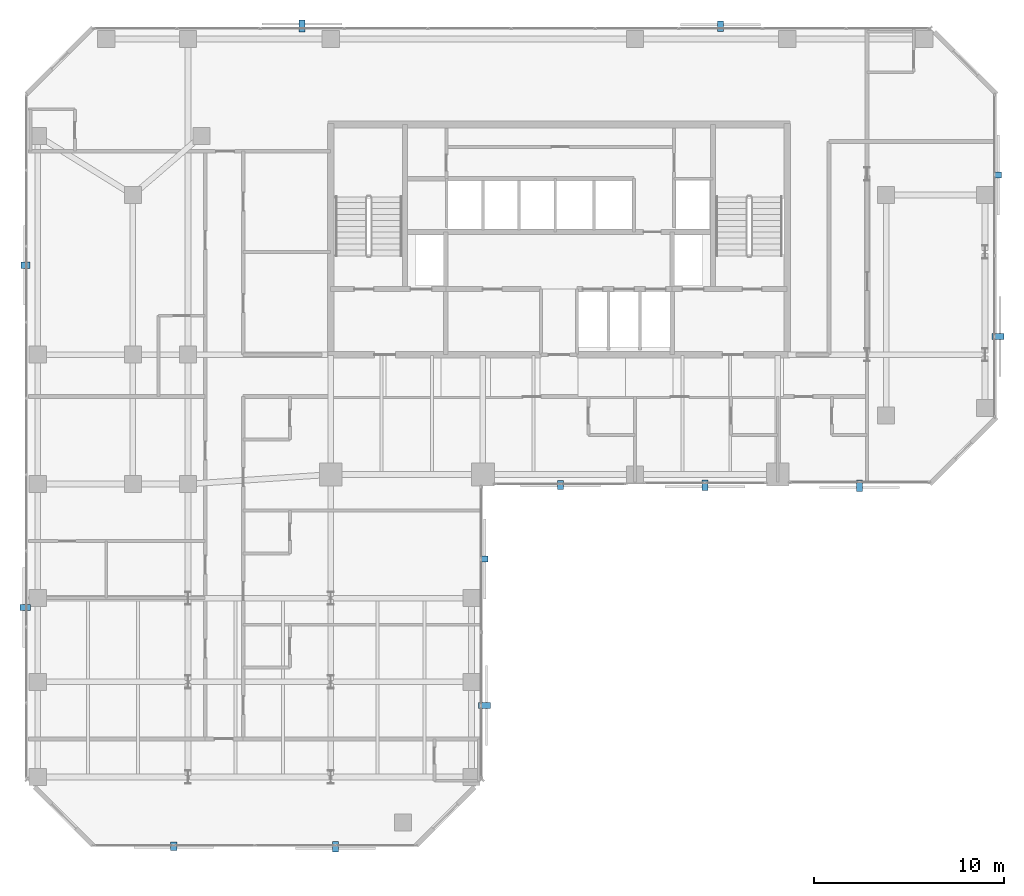
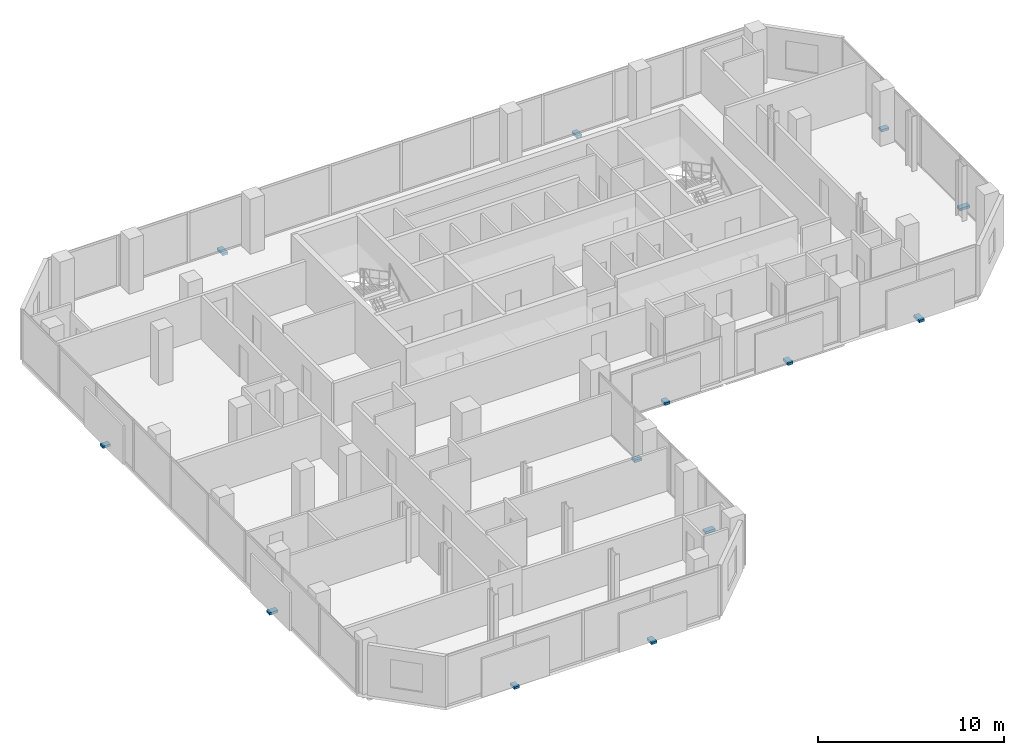
# One storey, part 32 of 34: 13 discrete accessories.
"""IFC4 building model written with IfcOpenShell, lengths in metres."""

import ifcopenshell
import ifcopenshell.guid

model = None  # the IFC model being written
_history = None  # IfcOwnerHistory: only IFC2X3 demands one
_inside = {}  # id of a spatial element -> (the spatial element, [elements in it])
_under = {}  # id of a project, library or spatial element -> (it, [spatial elements below it])
_declared = {}  # id of a project -> (the project, [libraries it declares])
_typed = {}  # id of a type object -> (the type object, [elements of that type])
_made_of = {}  # id of a material, layer set ... -> (it, [elements and type objects made of it])


def new_model(schema):
    """Start an empty IFC model of exactly this schema.

    Asked for "IFC4X3", IfcOpenShell would pick the latest addendum, in which some entities
    have other attributes; the version numbers below select the first issue.
    IFC2X3 requires an IfcOwnerHistory on every rooted entity: one is made here for all.
    """
    global model, _history
    if schema == "IFC4X3":
        model = ifcopenshell.file(schema_version=(4, 3, 0, 0))
    else:
        model = ifcopenshell.file(schema=schema)
    _inside.clear()
    _under.clear()
    _declared.clear()
    _typed.clear()
    _made_of.clear()
    _history = None
    if model.schema == "IFC2X3":
        org = make("IfcOrganization", Name="unknown")
        user = make(
            "IfcPersonAndOrganization",
            ThePerson=make("IfcPerson", FamilyName="unknown"),
            TheOrganization=org,
        )
        app = make(
            "IfcApplication",
            ApplicationDeveloper=org,
            Version="unknown",
            ApplicationFullName="unknown",
            ApplicationIdentifier="unknown",
        )
        _history = make(
            "IfcOwnerHistory",
            OwningUser=user,
            OwningApplication=app,
            ChangeAction="ADDED",
            CreationDate=0,
        )
    return model


def make(cls, **values):
    """One entity of the class cls with the attributes given. An attribute that is None is left unset."""
    return model.create_entity(
        cls, **{name: value for name, value in values.items() if value is not None}
    )


def rooted(cls, **values):
    """An entity with a GlobalId (a new one), such as an element, a storey or a relation."""
    return make(cls, GlobalId=ifcopenshell.guid.new(), OwnerHistory=_history, **values)


def si_unit(unit_type, name, prefix=None):
    """IfcSIUnit, for example si_unit("LENGTHUNIT", "METRE", prefix="MILLI")."""
    return make("IfcSIUnit", UnitType=unit_type, Prefix=prefix, Name=name)


def assignment(units):
    """IfcUnitAssignment: the units of a project."""
    return None if units is None else make("IfcUnitAssignment", Units=units)


def point(xyz):
    """IfcCartesianPoint."""
    return None if xyz is None else make("IfcCartesianPoint", Coordinates=xyz)


def direction(xyz):
    """IfcDirection."""
    return None if xyz is None else make("IfcDirection", DirectionRatios=xyz)


def frame(location, z_axis=None, x_axis=None):
    """IfcAxis2Placement3D, a coordinate frame: its origin and axes. An axis left out is left unset."""
    return make(
        "IfcAxis2Placement3D",
        Location=point(location),
        Axis=direction(z_axis),
        RefDirection=direction(x_axis),
    )


def frame_2d(location, x_axis=None):
    """IfcAxis2Placement2D, a coordinate frame in the plane: its origin and x axis."""
    return make(
        "IfcAxis2Placement2D", Location=point(location), RefDirection=direction(x_axis)
    )


def origin():
    """The frame at (0, 0, 0) with its axes left unset."""
    return frame((0.0, 0.0, 0.0))


def origin_2d():
    """The frame at (0, 0) in the plane with its x axis left unset."""
    return frame_2d((0.0, 0.0))


def place(relative_to, where):
    """IfcLocalPlacement: puts the frame where relative to a parent placement (None: the world)."""
    return make(
        "IfcLocalPlacement", PlacementRelTo=relative_to, RelativePlacement=where
    )


def context(
    kind, dimensions, precision=None, world=None, true_north=None, identifier=None
):
    """IfcGeometricRepresentationContext, for example the 3D "Model" context."""
    return make(
        "IfcGeometricRepresentationContext",
        ContextIdentifier=identifier,
        ContextType=kind,
        CoordinateSpaceDimension=dimensions,
        Precision=precision,
        WorldCoordinateSystem=world,
        TrueNorth=true_north,
    )


def subcontext(parent, identifier, kind, view, scale=None):
    """IfcGeometricRepresentationSubContext, for example "Body" below "Model"."""
    return make(
        "IfcGeometricRepresentationSubContext",
        ContextIdentifier=identifier,
        ContextType=kind,
        ParentContext=parent,
        TargetScale=scale,
        TargetView=view,
    )


def project(units=None, contexts=None):
    """IfcProject with its units and contexts."""
    return rooted(
        "IfcProject",
        Name="project",
        RepresentationContexts=contexts,
        UnitsInContext=assignment(units),
    )


def spatial(cls, under=None, at=None, **own):
    """A site, building, storey or space (cls), placed at a placement, below another one or the project."""
    s = rooted(cls, ObjectPlacement=at, **own)
    if under is not None:
        _under.setdefault(under.id(), (under, []))[1].append(s)
    return s


def profile(cls, at=None, kind="AREA", **sizes):
    """A parametric profile (cls). Its sizes go by their IFC names, for example OverallWidth=200.0."""
    return make(cls, ProfileType=kind, Position=at, **sizes)


def rectangle(**sizes):
    """IfcRectangleProfileDef."""
    return profile("IfcRectangleProfileDef", **sizes)


def extrude(swept, where, along, depth):
    """IfcExtrudedAreaSolid: the profile swept, set in the frame where, extruded along a direction by depth."""
    return make(
        "IfcExtrudedAreaSolid",
        SweptArea=swept,
        Position=where,
        ExtrudedDirection=direction(along),
        Depth=depth,
    )


def shape(context_of_items, identifier, shape_type, items):
    """IfcShapeRepresentation: the items that make up one representation, for example the "Body"."""
    return make(
        "IfcShapeRepresentation",
        ContextOfItems=context_of_items,
        RepresentationIdentifier=identifier,
        RepresentationType=shape_type,
        Items=items,
    )


def material(Name=None, Category=None):
    """IfcMaterial."""
    return make("IfcMaterial", Name=Name, Category=Category)


def made_of(thing, what):
    """Note that an element or type object is made of a material, layer set ...; save() writes the relation."""
    if what is not None:
        _made_of.setdefault(what.id(), (what, []))[1].append(thing)
    return thing


def type_object(cls, material=None, **own):
    """A type object (cls), such as IfcWallType, which elements share."""
    return made_of(rooted(cls, **own), material)


def element(
    cls,
    number,
    at=None,
    inside=None,
    cuts=None,
    type_object=None,
    material=None,
    context=None,
    identifier="Body",
    shape_type=None,
    held_by="IfcProductDefinitionShape",
    body=None,
    shapes=None,
    **own,
):
    """One element of the class cls, such as IfcWall. Its Tag is "e" and its number.

    at: its placement. inside: the storey or other place that contains it. cuts: it is an
    opening in that element (IfcRelVoidsElement). A single representation is given by context,
    identifier, shape_type and body (its items); several are given by shapes. held_by: the class
    of the entity that holds the representations. save() writes the other relations.
    """
    e = rooted(cls, Tag="e%d" % number, ObjectPlacement=at, **own)
    if body is not None:
        shapes = [shape(context, identifier, shape_type, body)]
    if shapes is not None:
        e.Representation = make(held_by, Representations=shapes)
    if inside is not None:
        _inside.setdefault(inside.id(), (inside, []))[1].append(e)
    if cuts is not None:
        rooted(
            "IfcRelVoidsElement", RelatingBuildingElement=cuts, RelatedOpeningElement=e
        )
    if type_object is not None:
        _typed.setdefault(type_object.id(), (type_object, []))[1].append(e)
    return made_of(e, material)


def aggregate(whole, parts):
    """IfcRelAggregates: a whole, such as a stair, and the parts it consists of."""
    return rooted("IfcRelAggregates", RelatingObject=whole, RelatedObjects=parts)


def save(model, path):
    """Write the relations noted so far, then the file.

    IfcRelAggregates (storeys below a building ...), IfcRelContainedInSpatialStructure (elements
    in a storey), IfcRelDefinesByType, IfcRelAssociatesMaterial and IfcRelDeclares: one each for
    every whole, place, type object, material and project.
    """
    for whole, parts in _under.values():
        aggregate(whole, parts)
    for where, things in _inside.values():
        rooted(
            "IfcRelContainedInSpatialStructure",
            RelatedElements=things,
            RelatingStructure=where,
        )
    for kind, things in _typed.values():
        rooted("IfcRelDefinesByType", RelatedObjects=things, RelatingType=kind)
    for what, things in _made_of.values():
        rooted("IfcRelAssociatesMaterial", RelatedObjects=things, RelatingMaterial=what)
    for by, libraries in _declared.values():
        rooted("IfcRelDeclares", RelatingContext=by, RelatedDefinitions=libraries)
    model.write(path)


model = new_model("IFC4")

# Units and contexts
model_context = context("Model", 3, precision=1e-05, world=origin(), true_north=direction((0.0, 1.0)))
body_context = subcontext(model_context, "Body", "Model", "MODEL_VIEW")
ifc_project = project(units=[si_unit("LENGTHUNIT", "METRE"), si_unit("AREAUNIT", "SQUARE_METRE"), si_unit("VOLUMEUNIT", "CUBIC_METRE"), si_unit("PLANEANGLEUNIT", "RADIAN"), si_unit("MASSUNIT", "GRAM", prefix="KILO")], contexts=[model_context])

# Site, building, storey
site_placement = place(None, origin())
site = spatial("IfcSite", under=ifc_project, at=site_placement, CompositionType="ELEMENT")
building_placement = place(site_placement, origin())
building = spatial("IfcBuilding", under=site, at=building_placement, Name="Catumbela Crestline Tower", CompositionType="ELEMENT")
storey_placement = place(building_placement, frame((0.0, 0.0, 93.6)))
storey = spatial("IfcBuildingStorey", under=building, at=storey_placement, Name="L23", CompositionType="ELEMENT", Elevation=93.6)

# Discrete accessories
ifc_material = material(Name="Stainless steel EN 1.4401", Category="steel")
discrete_accessory_type = type_object("IfcDiscreteAccessoryType", Name="BK-SS1", PredefinedType="BRACKET", material=ifc_material)
discrete_accessory_1_placement = place(storey_placement, frame((7.75, 4.955, -0.18), z_axis=(0.0, 0.0, 1.0), x_axis=(1.0, 0.0, 0.0)))
element("IfcDiscreteAccessory", 1, at=discrete_accessory_1_placement, inside=storey, type_object=discrete_accessory_type, Name="L23 Solar Screen Stainless Bracket 224", PredefinedType="BRACKET", context=body_context, shape_type="SweptSolid", body=[
    extrude(rectangle(XDim=0.32, YDim=0.46, at=origin_2d()), origin(), (0.0, 0.0, 1.0), 0.16),
])
discrete_accessory_2_placement = place(storey_placement, frame((16.25, 4.935, -0.18), z_axis=(0.0, 0.0, 1.0), x_axis=(1.0, 0.0, 0.0)))
element("IfcDiscreteAccessory", 2, at=discrete_accessory_2_placement, inside=storey, type_object=discrete_accessory_type, Name="L23 Solar Screen Stainless Bracket 225", PredefinedType="BRACKET", context=body_context, shape_type="SweptSolid", body=[
    extrude(rectangle(XDim=0.32, YDim=0.54, at=origin_2d()), origin(), (0.0, 0.0, 1.0), 0.16),
])
discrete_accessory_3_placement = place(storey_placement, frame((24.085, 12.35, -0.18), z_axis=(0.0, 0.0, 1.0), x_axis=(0.0, 1.0, 0.0)))
element("IfcDiscreteAccessory", 3, at=discrete_accessory_3_placement, inside=storey, type_object=discrete_accessory_type, Name="L23 Solar Screen Stainless Bracket 226", PredefinedType="BRACKET", context=body_context, shape_type="SweptSolid", body=[
    extrude(rectangle(XDim=0.32, YDim=0.62, at=origin_2d()), origin(), (0.0, 0.0, 1.0), 0.16),
])
for number, where, z_axis, x_axis, name in (
    (4, (24.045, 20.05, -0.18), (0.0, 0.0, 1.0), (0.0, 1.0, 0.0), "L23 Solar Screen Stainless Bracket 227"),
    (5, (28.075, 23.955, -0.18), (0.0, 0.0, 1.0), (1.0, 0.0, 0.0), "L23 Solar Screen Stainless Bracket 228"),
):
    element("IfcDiscreteAccessory", number, at=place(storey_placement, frame(where, z_axis=z_axis, x_axis=x_axis)), inside=storey, type_object=discrete_accessory_type, Name=name, PredefinedType="BRACKET", context=body_context, shape_type="SweptSolid", body=[
        extrude(rectangle(XDim=0.32, YDim=0.46, at=origin_2d()), origin(), (0.0, 0.0, 1.0), 0.16),
    ])
discrete_accessory_4_placement = place(storey_placement, frame((35.675, 23.935, -0.18), z_axis=(0.0, 0.0, 1.0), x_axis=(1.0, 0.0, 0.0)))
element("IfcDiscreteAccessory", 6, at=discrete_accessory_4_placement, inside=storey, type_object=discrete_accessory_type, Name="L23 Solar Screen Stainless Bracket 229", PredefinedType="BRACKET", context=body_context, shape_type="SweptSolid", body=[
    extrude(rectangle(XDim=0.32, YDim=0.54, at=origin_2d()), origin(), (0.0, 0.0, 1.0), 0.16),
])
for number, where, z_axis, x_axis, name in (
    (7, (43.8, 23.915, -0.18), (0.0, 0.0, 1.0), (1.0, 0.0, 0.0), "L23 Solar Screen Stainless Bracket 230"),
    (8, (51.085, 31.75, -0.18), (0.0, 0.0, 1.0), (0.0, 1.0, 0.0), "L23 Solar Screen Stainless Bracket 231"),
):
    element("IfcDiscreteAccessory", number, at=place(storey_placement, frame(where, z_axis=z_axis, x_axis=x_axis)), inside=storey, type_object=discrete_accessory_type, Name=name, PredefinedType="BRACKET", context=body_context, shape_type="SweptSolid", body=[
        extrude(rectangle(XDim=0.32, YDim=0.62, at=origin_2d()), origin(), (0.0, 0.0, 1.0), 0.16),
    ])
discrete_accessory_5_placement = place(storey_placement, frame((51.045, 40.25, -0.18), z_axis=(0.0, 0.0, 1.0), x_axis=(0.0, 1.0, 0.0)))
element("IfcDiscreteAccessory", 9, at=discrete_accessory_5_placement, inside=storey, type_object=discrete_accessory_type, Name="L23 Solar Screen Stainless Bracket 232", PredefinedType="BRACKET", context=body_context, shape_type="SweptSolid", body=[
    extrude(rectangle(XDim=0.32, YDim=0.46, at=origin_2d()), origin(), (0.0, 0.0, 1.0), 0.16),
])
discrete_accessory_6_placement = place(storey_placement, frame((36.5, 48.065, -0.18), z_axis=(0.0, 0.0, 1.0), x_axis=(-1.0, 0.0, 0.0)))
element("IfcDiscreteAccessory", 10, at=discrete_accessory_6_placement, inside=storey, type_object=discrete_accessory_type, Name="L23 Solar Screen Stainless Bracket 233", PredefinedType="BRACKET", context=body_context, shape_type="SweptSolid", body=[
    extrude(rectangle(XDim=0.32, YDim=0.54, at=origin_2d()), origin(), (0.0, 0.0, 1.0), 0.16),
])
discrete_accessory_7_placement = place(storey_placement, frame((14.5, 48.085, -0.18), z_axis=(0.0, 0.0, 1.0), x_axis=(-1.0, 0.0, 0.0)))
element("IfcDiscreteAccessory", 11, at=discrete_accessory_7_placement, inside=storey, type_object=discrete_accessory_type, Name="L23 Solar Screen Stainless Bracket 234", PredefinedType="BRACKET", context=body_context, shape_type="SweptSolid", body=[
    extrude(rectangle(XDim=0.32, YDim=0.62, at=origin_2d()), origin(), (0.0, 0.0, 1.0), 0.16),
])
discrete_accessory_8_placement = place(storey_placement, frame((-0.045, 35.5, -0.18), z_axis=(0.0, 0.0, 1.0), x_axis=(0.0, -1.0, 0.0)))
element("IfcDiscreteAccessory", 12, at=discrete_accessory_8_placement, inside=storey, type_object=discrete_accessory_type, Name="L23 Solar Screen Stainless Bracket 235", PredefinedType="BRACKET", context=body_context, shape_type="SweptSolid", body=[
    extrude(rectangle(XDim=0.32, YDim=0.46, at=origin_2d()), origin(), (0.0, 0.0, 1.0), 0.16),
])
discrete_accessory_9_placement = place(storey_placement, frame((-0.065, 17.5, -0.18), z_axis=(0.0, 0.0, 1.0), x_axis=(0.0, -1.0, 0.0)))
element("IfcDiscreteAccessory", 13, at=discrete_accessory_9_placement, inside=storey, type_object=discrete_accessory_type, Name="L23 Solar Screen Stainless Bracket 236", PredefinedType="BRACKET", context=body_context, shape_type="SweptSolid", body=[
    extrude(rectangle(XDim=0.32, YDim=0.54, at=origin_2d()), origin(), (0.0, 0.0, 1.0), 0.16),
])

save(model, "model.ifc")
